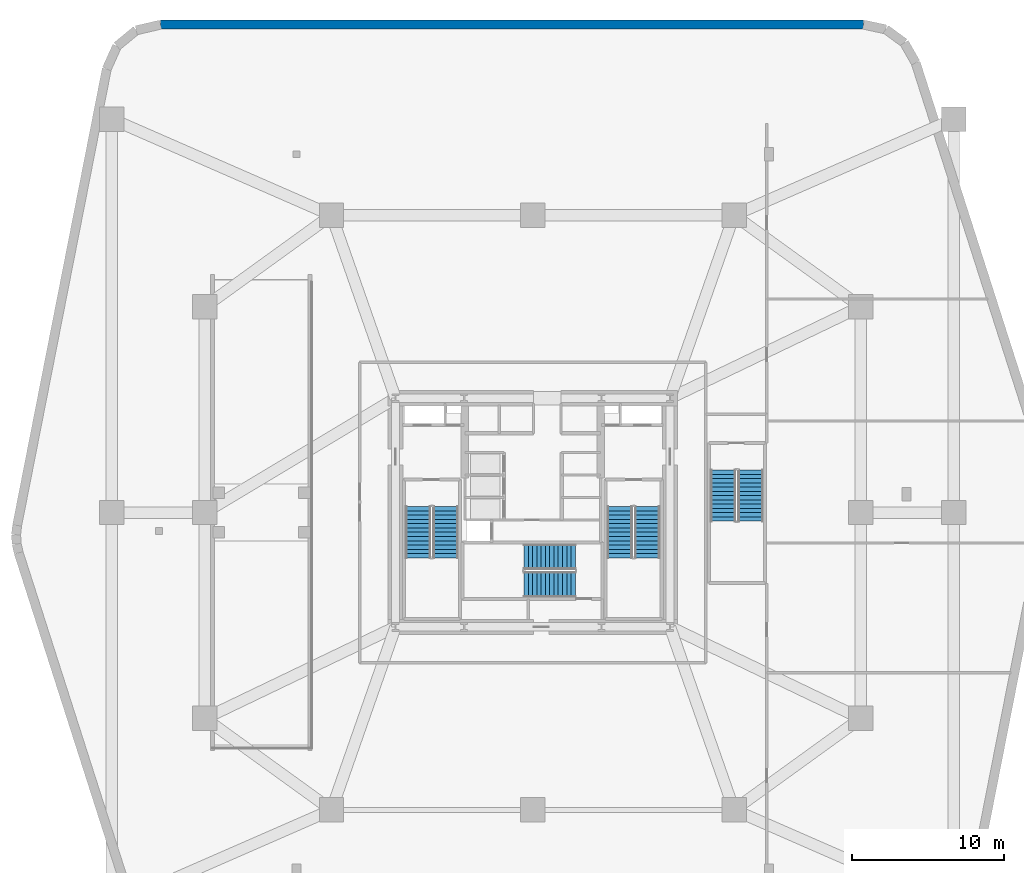
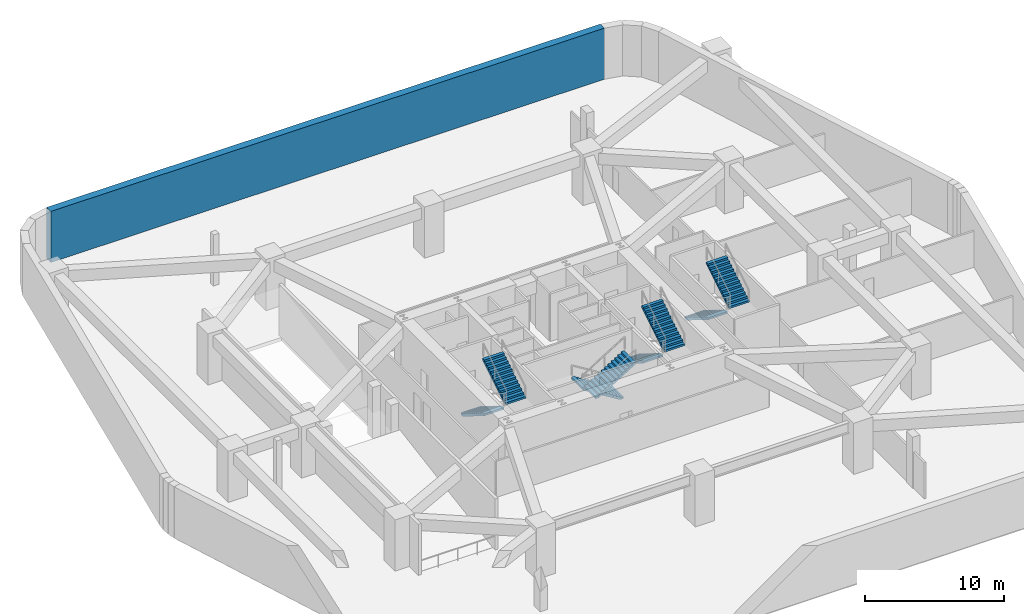
# One storey, part 6 of 9: 8 stair flights, 1 wall, 4 elements without a shape of their own.
"""IFC4 building model written with IfcOpenShell, lengths in metres."""

import ifcopenshell
import ifcopenshell.guid

model = None  # the IFC model being written
_history = None  # IfcOwnerHistory: only IFC2X3 demands one
_inside = {}  # id of a spatial element -> (the spatial element, [elements in it])
_under = {}  # id of a project, library or spatial element -> (it, [spatial elements below it])
_declared = {}  # id of a project -> (the project, [libraries it declares])
_typed = {}  # id of a type object -> (the type object, [elements of that type])
_made_of = {}  # id of a material, layer set ... -> (it, [elements and type objects made of it])


def new_model(schema):
    """Start an empty IFC model of exactly this schema.

    Asked for "IFC4X3", IfcOpenShell would pick the latest addendum, in which some entities
    have other attributes; the version numbers below select the first issue.
    IFC2X3 requires an IfcOwnerHistory on every rooted entity: one is made here for all.
    """
    global model, _history
    if schema == "IFC4X3":
        model = ifcopenshell.file(schema_version=(4, 3, 0, 0))
    else:
        model = ifcopenshell.file(schema=schema)
    _inside.clear()
    _under.clear()
    _declared.clear()
    _typed.clear()
    _made_of.clear()
    _history = None
    if model.schema == "IFC2X3":
        org = make("IfcOrganization", Name="unknown")
        user = make(
            "IfcPersonAndOrganization",
            ThePerson=make("IfcPerson", FamilyName="unknown"),
            TheOrganization=org,
        )
        app = make(
            "IfcApplication",
            ApplicationDeveloper=org,
            Version="unknown",
            ApplicationFullName="unknown",
            ApplicationIdentifier="unknown",
        )
        _history = make(
            "IfcOwnerHistory",
            OwningUser=user,
            OwningApplication=app,
            ChangeAction="ADDED",
            CreationDate=0,
        )
    return model


def make(cls, **values):
    """One entity of the class cls with the attributes given. An attribute that is None is left unset."""
    return model.create_entity(
        cls, **{name: value for name, value in values.items() if value is not None}
    )


def rooted(cls, **values):
    """An entity with a GlobalId (a new one), such as an element, a storey or a relation."""
    return make(cls, GlobalId=ifcopenshell.guid.new(), OwnerHistory=_history, **values)


def si_unit(unit_type, name, prefix=None):
    """IfcSIUnit, for example si_unit("LENGTHUNIT", "METRE", prefix="MILLI")."""
    return make("IfcSIUnit", UnitType=unit_type, Prefix=prefix, Name=name)


def assignment(units):
    """IfcUnitAssignment: the units of a project."""
    return None if units is None else make("IfcUnitAssignment", Units=units)


def point(xyz):
    """IfcCartesianPoint."""
    return None if xyz is None else make("IfcCartesianPoint", Coordinates=xyz)


def direction(xyz):
    """IfcDirection."""
    return None if xyz is None else make("IfcDirection", DirectionRatios=xyz)


def frame(location, z_axis=None, x_axis=None):
    """IfcAxis2Placement3D, a coordinate frame: its origin and axes. An axis left out is left unset."""
    return make(
        "IfcAxis2Placement3D",
        Location=point(location),
        Axis=direction(z_axis),
        RefDirection=direction(x_axis),
    )


def frame_2d(location, x_axis=None):
    """IfcAxis2Placement2D, a coordinate frame in the plane: its origin and x axis."""
    return make(
        "IfcAxis2Placement2D", Location=point(location), RefDirection=direction(x_axis)
    )


def origin():
    """The frame at (0, 0, 0) with its axes left unset."""
    return frame((0.0, 0.0, 0.0))


def place(relative_to, where):
    """IfcLocalPlacement: puts the frame where relative to a parent placement (None: the world)."""
    return make(
        "IfcLocalPlacement", PlacementRelTo=relative_to, RelativePlacement=where
    )


def context(
    kind, dimensions, precision=None, world=None, true_north=None, identifier=None
):
    """IfcGeometricRepresentationContext, for example the 3D "Model" context."""
    return make(
        "IfcGeometricRepresentationContext",
        ContextIdentifier=identifier,
        ContextType=kind,
        CoordinateSpaceDimension=dimensions,
        Precision=precision,
        WorldCoordinateSystem=world,
        TrueNorth=true_north,
    )


def subcontext(parent, identifier, kind, view, scale=None):
    """IfcGeometricRepresentationSubContext, for example "Body" below "Model"."""
    return make(
        "IfcGeometricRepresentationSubContext",
        ContextIdentifier=identifier,
        ContextType=kind,
        ParentContext=parent,
        TargetScale=scale,
        TargetView=view,
    )


def project(units=None, contexts=None):
    """IfcProject with its units and contexts."""
    return rooted(
        "IfcProject",
        Name="project",
        RepresentationContexts=contexts,
        UnitsInContext=assignment(units),
    )


def spatial(cls, under=None, at=None, **own):
    """A site, building, storey or space (cls), placed at a placement, below another one or the project."""
    s = rooted(cls, ObjectPlacement=at, **own)
    if under is not None:
        _under.setdefault(under.id(), (under, []))[1].append(s)
    return s


def polyline(points):
    """IfcPolyline through the points."""
    return make("IfcPolyline", Points=[point(p) for p in points])


def profile(cls, at=None, kind="AREA", **sizes):
    """A parametric profile (cls). Its sizes go by their IFC names, for example OverallWidth=200.0."""
    return make(cls, ProfileType=kind, Position=at, **sizes)


def rectangle(**sizes):
    """IfcRectangleProfileDef."""
    return profile("IfcRectangleProfileDef", **sizes)


def outline(outer, holes=None, kind="AREA"):
    """IfcArbitraryClosedProfileDef: a profile drawn as a closed curve; with holes, ...WithVoids."""
    if holes is None:
        return make("IfcArbitraryClosedProfileDef", ProfileType=kind, OuterCurve=outer)
    return make(
        "IfcArbitraryProfileDefWithVoids",
        ProfileType=kind,
        OuterCurve=outer,
        InnerCurves=holes,
    )


def extrude(swept, where, along, depth):
    """IfcExtrudedAreaSolid: the profile swept, set in the frame where, extruded along a direction by depth."""
    return make(
        "IfcExtrudedAreaSolid",
        SweptArea=swept,
        Position=where,
        ExtrudedDirection=direction(along),
        Depth=depth,
    )


def shape(context_of_items, identifier, shape_type, items):
    """IfcShapeRepresentation: the items that make up one representation, for example the "Body"."""
    return make(
        "IfcShapeRepresentation",
        ContextOfItems=context_of_items,
        RepresentationIdentifier=identifier,
        RepresentationType=shape_type,
        Items=items,
    )


def material(Name=None, Category=None):
    """IfcMaterial."""
    return make("IfcMaterial", Name=Name, Category=Category)


def layer(
    of_material, thickness, ventilated=None, Name=None, Category=None, Priority=None
):
    """IfcMaterialLayer: one layer of a wall or slab, of a material (None: an air gap)."""
    return make(
        "IfcMaterialLayer",
        Material=of_material,
        LayerThickness=thickness,
        IsVentilated=ventilated,
        Name=Name,
        Category=Category,
        Priority=Priority,
    )


def layer_set(layers, Name=None):
    """IfcMaterialLayerSet."""
    return make("IfcMaterialLayerSet", MaterialLayers=layers, LayerSetName=Name)


def made_of(thing, what):
    """Note that an element or type object is made of a material, layer set ...; save() writes the relation."""
    if what is not None:
        _made_of.setdefault(what.id(), (what, []))[1].append(thing)
    return thing


def type_object(cls, material=None, **own):
    """A type object (cls), such as IfcWallType, which elements share."""
    return made_of(rooted(cls, **own), material)


def element(
    cls,
    number,
    at=None,
    inside=None,
    cuts=None,
    type_object=None,
    material=None,
    context=None,
    identifier="Body",
    shape_type=None,
    held_by="IfcProductDefinitionShape",
    body=None,
    shapes=None,
    **own,
):
    """One element of the class cls, such as IfcWall. Its Tag is "e" and its number.

    at: its placement. inside: the storey or other place that contains it. cuts: it is an
    opening in that element (IfcRelVoidsElement). A single representation is given by context,
    identifier, shape_type and body (its items); several are given by shapes. held_by: the class
    of the entity that holds the representations. save() writes the other relations.
    """
    e = rooted(cls, Tag="e%d" % number, ObjectPlacement=at, **own)
    if body is not None:
        shapes = [shape(context, identifier, shape_type, body)]
    if shapes is not None:
        e.Representation = make(held_by, Representations=shapes)
    if inside is not None:
        _inside.setdefault(inside.id(), (inside, []))[1].append(e)
    if cuts is not None:
        rooted(
            "IfcRelVoidsElement", RelatingBuildingElement=cuts, RelatedOpeningElement=e
        )
    if type_object is not None:
        _typed.setdefault(type_object.id(), (type_object, []))[1].append(e)
    return made_of(e, material)


def aggregate(whole, parts):
    """IfcRelAggregates: a whole, such as a stair, and the parts it consists of."""
    return rooted("IfcRelAggregates", RelatingObject=whole, RelatedObjects=parts)


def save(model, path):
    """Write the relations noted so far, then the file.

    IfcRelAggregates (storeys below a building ...), IfcRelContainedInSpatialStructure (elements
    in a storey), IfcRelDefinesByType, IfcRelAssociatesMaterial and IfcRelDeclares: one each for
    every whole, place, type object, material and project.
    """
    for whole, parts in _under.values():
        aggregate(whole, parts)
    for where, things in _inside.values():
        rooted(
            "IfcRelContainedInSpatialStructure",
            RelatedElements=things,
            RelatingStructure=where,
        )
    for kind, things in _typed.values():
        rooted("IfcRelDefinesByType", RelatedObjects=things, RelatingType=kind)
    for what, things in _made_of.values():
        rooted("IfcRelAssociatesMaterial", RelatedObjects=things, RelatingMaterial=what)
    for by, libraries in _declared.values():
        rooted("IfcRelDeclares", RelatingContext=by, RelatedDefinitions=libraries)
    model.write(path)


model = new_model("IFC4")

# Units and contexts
model_context = context("Model", 3, precision=1e-05, world=origin(), true_north=direction((0.0, 1.0)))
body_context = subcontext(model_context, "Body", "Model", "MODEL_VIEW")
ifc_project = project(units=[si_unit("LENGTHUNIT", "METRE"), si_unit("AREAUNIT", "SQUARE_METRE"), si_unit("VOLUMEUNIT", "CUBIC_METRE"), si_unit("PLANEANGLEUNIT", "RADIAN"), si_unit("MASSUNIT", "GRAM", prefix="KILO")], contexts=[model_context])

# Site, building, storey
site_placement = place(None, origin())
site = spatial("IfcSite", under=ifc_project, at=site_placement, CompositionType="ELEMENT")
building_placement = place(site_placement, origin())
building = spatial("IfcBuilding", under=site, at=building_placement, Name="Kilnhurst Terrace Hotel", CompositionType="ELEMENT")
storey_placement = place(building_placement, frame((0.0, 0.0, -4.5)))
storey = spatial("IfcBuildingStorey", under=building, at=storey_placement, Name="B1", CompositionType="ELEMENT", Elevation=-4.5)

# Wall
ifc_material_1 = material(Name="Concrete C50/60", Category="concrete")
ifc_layer = layer(ifc_material_1, 0.60009765625, Name="Concrete C50/60")
ifc_layer_set = layer_set([ifc_layer], Name="Concrete C50/60")
wall_type = type_object("IfcWallType", Name="WL-RET-600", PredefinedType="SHEAR", material=ifc_layer_set)
wall_placement = place(storey_placement, frame((21.683349609375, 32.0, 0.0), z_axis=(0.0, 0.0, 1.0), x_axis=(-1.0, 0.0, 0.0)))
element("IfcWall", 1, at=wall_placement, inside=storey, type_object=wall_type, Name="B1 Perimeter Shear Retaining Wall 16", PredefinedType="SHEAR", context=body_context, shape_type="SweptSolid", body=[
    extrude(rectangle(XDim=46.091552734375, YDim=0.60009765625, at=frame_2d((23.0458984375, 0.0))), origin(), (0.0, 0.0, 1.0), 4.5),
])

# Stair, stair flights
stair_type_1 = type_object("IfcStairType", Name="STR-CORE-1660", PredefinedType="HALF_TURN_STAIR", material=ifc_material_1)
stair_1_placement = place(storey_placement, origin())
stair_1 = element("IfcStair", 2, at=stair_1_placement, inside=storey, type_object=stair_type_1, Name="B1 ST-1", PredefinedType="HALF_TURN_STAIR")
stair_flight_type = type_object("IfcStairFlightType", Name="FLT-RC-1660", PredefinedType="STRAIGHT", material=ifc_material_1)
stair_flight_1_placement = place(storey_placement, frame((-7.52001953125, 0.389892578125, 0.0), z_axis=(0.0, 0.0, 1.0), x_axis=(0.0, -1.0, 0.0)))
stair_flight_1 = element("IfcStairFlight", 3, at=stair_flight_1_placement, type_object=stair_flight_type, Name="ST-1 flight 1", NumberOfRisers=13, NumberOfTreads=12, PredefinedType="STRAIGHT", RiserHeight=0.173076923, TreadLength=0.28, context=body_context, shape_type="SweptSolid", body=[
    extrude(outline(polyline([(0.0, 0.0), (0.0, 0.173095703125), (0.280029296875, 0.173095703125), (0.280029296875, 0.34619140625), (0.56005859375, 0.34619140625), (0.56005859375, 0.519287109375), (0.840087890625, 0.519287109375), (0.840087890625, 0.6923828125), (1.1201171875, 0.6923828125), (1.1201171875, 0.865478515625), (1.39990234375, 0.865478515625), (1.39990234375, 1.03857421875), (1.679931640625, 1.03857421875), (1.679931640625, 1.21142578125), (1.9599609375, 1.21142578125), (1.9599609375, 1.384521484375), (2.239990234375, 1.384521484375), (2.239990234375, 1.5576171875), (2.52001953125, 1.5576171875), (2.52001953125, 1.730712890625), (2.800048828125, 1.730712890625), (2.800048828125, 1.90380859375), (3.080078125, 1.90380859375), (3.080078125, 2.076904296875), (3.360107421875, 2.076904296875), (3.360107421875, 2.25), (3.360107421875, 1.900634765625), (0.28515625, 0.0), (0.0, 0.0)])), frame((0.0, 0.830078125, 0.0), z_axis=(0.0, -1.0, 0.0), x_axis=(1.0, 0.0, 0.0)), (0.0, 0.0, 1.0), 1.659912109375),
])
stair_flight_2_placement = place(storey_placement, frame((-5.7099609375, -2.969970703125, 2.25), z_axis=(0.0, 0.0, 1.0), x_axis=(0.0, 1.0, 0.0)))
stair_flight_2 = element("IfcStairFlight", 4, at=stair_flight_2_placement, type_object=stair_flight_type, Name="ST-1 flight 2", NumberOfRisers=13, NumberOfTreads=12, PredefinedType="STRAIGHT", RiserHeight=0.173076923, TreadLength=0.28, context=body_context, shape_type="SweptSolid", body=[
    extrude(outline(polyline([(0.0, 0.0), (0.0, 0.173095703125), (0.280029296875, 0.173095703125), (0.280029296875, 0.34619140625), (0.56005859375, 0.34619140625), (0.56005859375, 0.519287109375), (0.840087890625, 0.519287109375), (0.840087890625, 0.6923828125), (1.1201171875, 0.6923828125), (1.1201171875, 0.865478515625), (1.39990234375, 0.865478515625), (1.39990234375, 1.03857421875), (1.679931640625, 1.03857421875), (1.679931640625, 1.21142578125), (1.9599609375, 1.21142578125), (1.9599609375, 1.384521484375), (2.239990234375, 1.384521484375), (2.239990234375, 1.5576171875), (2.52001953125, 1.5576171875), (2.52001953125, 1.730712890625), (2.800048828125, 1.730712890625), (2.800048828125, 1.90380859375), (3.080078125, 1.90380859375), (3.080078125, 2.076904296875), (3.360107421875, 2.076904296875), (3.360107421875, 2.25), (3.360107421875, 1.900634765625), (0.28515625, 0.0), (0.0, 0.0)])), frame((0.0, 0.830078125, 0.0), z_axis=(0.0, -1.0, 0.0), x_axis=(1.0, 0.0, 0.0)), (0.0, 0.0, 1.0), 1.659912109375),
])
aggregate(stair_1, [stair_flight_1, stair_flight_2])

stair_2_placement = place(storey_placement, origin())
stair_2 = element("IfcStair", 5, at=stair_2_placement, inside=storey, type_object=stair_type_1, Name="B1 ST-2", PredefinedType="HALF_TURN_STAIR")
stair_flight_3_placement = place(storey_placement, frame((5.7099609375, 0.389892578125, 0.0), z_axis=(0.0, 0.0, 1.0), x_axis=(0.0, -1.0, 0.0)))
stair_flight_3 = element("IfcStairFlight", 6, at=stair_flight_3_placement, type_object=stair_flight_type, Name="ST-2 flight 1", NumberOfRisers=13, NumberOfTreads=12, PredefinedType="STRAIGHT", RiserHeight=0.173076923, TreadLength=0.28, context=body_context, shape_type="SweptSolid", body=[
    extrude(outline(polyline([(0.0, 0.0), (0.0, 0.173095703125), (0.280029296875, 0.173095703125), (0.280029296875, 0.34619140625), (0.56005859375, 0.34619140625), (0.56005859375, 0.519287109375), (0.840087890625, 0.519287109375), (0.840087890625, 0.6923828125), (1.1201171875, 0.6923828125), (1.1201171875, 0.865478515625), (1.39990234375, 0.865478515625), (1.39990234375, 1.03857421875), (1.679931640625, 1.03857421875), (1.679931640625, 1.21142578125), (1.9599609375, 1.21142578125), (1.9599609375, 1.384521484375), (2.239990234375, 1.384521484375), (2.239990234375, 1.5576171875), (2.52001953125, 1.5576171875), (2.52001953125, 1.730712890625), (2.800048828125, 1.730712890625), (2.800048828125, 1.90380859375), (3.080078125, 1.90380859375), (3.080078125, 2.076904296875), (3.360107421875, 2.076904296875), (3.360107421875, 2.25), (3.360107421875, 1.900634765625), (0.28515625, 0.0), (0.0, 0.0)])), frame((0.0, 0.830078125, 0.0), z_axis=(0.0, -1.0, 0.0), x_axis=(1.0, 0.0, 0.0)), (0.0, 0.0, 1.0), 1.659912109375),
])
stair_flight_4_placement = place(storey_placement, frame((7.52001953125, -2.969970703125, 2.25), z_axis=(0.0, 0.0, 1.0), x_axis=(0.0, 1.0, 0.0)))
stair_flight_4 = element("IfcStairFlight", 7, at=stair_flight_4_placement, type_object=stair_flight_type, Name="ST-2 flight 2", NumberOfRisers=13, NumberOfTreads=12, PredefinedType="STRAIGHT", RiserHeight=0.173076923, TreadLength=0.28, context=body_context, shape_type="SweptSolid", body=[
    extrude(outline(polyline([(0.0, 0.0), (0.0, 0.173095703125), (0.280029296875, 0.173095703125), (0.280029296875, 0.34619140625), (0.56005859375, 0.34619140625), (0.56005859375, 0.519287109375), (0.840087890625, 0.519287109375), (0.840087890625, 0.6923828125), (1.1201171875, 0.6923828125), (1.1201171875, 0.865478515625), (1.39990234375, 0.865478515625), (1.39990234375, 1.03857421875), (1.679931640625, 1.03857421875), (1.679931640625, 1.21142578125), (1.9599609375, 1.21142578125), (1.9599609375, 1.384521484375), (2.239990234375, 1.384521484375), (2.239990234375, 1.5576171875), (2.52001953125, 1.5576171875), (2.52001953125, 1.730712890625), (2.800048828125, 1.730712890625), (2.800048828125, 1.90380859375), (3.080078125, 1.90380859375), (3.080078125, 2.076904296875), (3.360107421875, 2.076904296875), (3.360107421875, 2.25), (3.360107421875, 1.900634765625), (0.28515625, 0.0), (0.0, 0.0)])), frame((0.0, 0.830078125, 0.0), z_axis=(0.0, -1.0, 0.0), x_axis=(1.0, 0.0, 0.0)), (0.0, 0.0, 1.0), 1.659912109375),
])
aggregate(stair_2, [stair_flight_3, stair_flight_4])

stair_3_placement = place(storey_placement, origin())
stair_3 = element("IfcStair", 8, at=stair_3_placement, inside=storey, type_object=stair_type_1, Name="B1 ST-3", PredefinedType="HALF_TURN_STAIR")
stair_flight_5_placement = place(storey_placement, frame((2.7900390625, -2.909912109375, 0.0), z_axis=(0.0, 0.0, 1.0), x_axis=(-1.0, 0.0, 0.0)))
stair_flight_5 = element("IfcStairFlight", 9, at=stair_flight_5_placement, type_object=stair_flight_type, Name="ST-3 flight 1", NumberOfRisers=13, NumberOfTreads=12, PredefinedType="STRAIGHT", RiserHeight=0.173076923, TreadLength=0.28, context=body_context, shape_type="SweptSolid", body=[
    extrude(outline(polyline([(0.0, 0.0), (0.0, 0.173095703125), (0.280029296875, 0.173095703125), (0.280029296875, 0.34619140625), (0.56005859375, 0.34619140625), (0.56005859375, 0.519287109375), (0.840087890625, 0.519287109375), (0.840087890625, 0.6923828125), (1.1201171875, 0.6923828125), (1.1201171875, 0.865478515625), (1.39990234375, 0.865478515625), (1.39990234375, 1.03857421875), (1.679931640625, 1.03857421875), (1.679931640625, 1.21142578125), (1.9599609375, 1.21142578125), (1.9599609375, 1.384521484375), (2.239990234375, 1.384521484375), (2.239990234375, 1.5576171875), (2.52001953125, 1.5576171875), (2.52001953125, 1.730712890625), (2.800048828125, 1.730712890625), (2.800048828125, 1.90380859375), (3.080078125, 1.90380859375), (3.080078125, 2.076904296875), (3.360107421875, 2.076904296875), (3.360107421875, 2.25), (3.360107421875, 1.900634765625), (0.28515625, 0.0), (0.0, 0.0)])), frame((0.0, 0.830078125, 0.0), z_axis=(0.0, -1.0, 0.0), x_axis=(1.0, 0.0, 0.0)), (0.0, 0.0, 1.0), 1.659912109375),
])
stair_flight_6_placement = place(storey_placement, frame((-0.570068359375, -4.719970703125, 2.25), z_axis=(0.0, 0.0, 1.0), x_axis=(1.0, 0.0, 0.0)))
stair_flight_6 = element("IfcStairFlight", 10, at=stair_flight_6_placement, type_object=stair_flight_type, Name="ST-3 flight 2", NumberOfRisers=13, NumberOfTreads=12, PredefinedType="STRAIGHT", RiserHeight=0.173076923, TreadLength=0.28, context=body_context, shape_type="SweptSolid", body=[
    extrude(outline(polyline([(0.0, 0.0), (0.0, 0.173095703125), (0.280029296875, 0.173095703125), (0.280029296875, 0.34619140625), (0.56005859375, 0.34619140625), (0.56005859375, 0.519287109375), (0.840087890625, 0.519287109375), (0.840087890625, 0.6923828125), (1.1201171875, 0.6923828125), (1.1201171875, 0.865478515625), (1.39990234375, 0.865478515625), (1.39990234375, 1.03857421875), (1.679931640625, 1.03857421875), (1.679931640625, 1.21142578125), (1.9599609375, 1.21142578125), (1.9599609375, 1.384521484375), (2.239990234375, 1.384521484375), (2.239990234375, 1.5576171875), (2.52001953125, 1.5576171875), (2.52001953125, 1.730712890625), (2.800048828125, 1.730712890625), (2.800048828125, 1.90380859375), (3.080078125, 1.90380859375), (3.080078125, 2.076904296875), (3.360107421875, 2.076904296875), (3.360107421875, 2.25), (3.360107421875, 1.900634765625), (0.28515625, 0.0), (0.0, 0.0)])), frame((0.0, 0.830078125, 0.0), z_axis=(0.0, -1.0, 0.0), x_axis=(1.0, 0.0, 0.0)), (0.0, 0.0, 1.0), 1.659912109375),
])
aggregate(stair_3, [stair_flight_5, stair_flight_6])

ifc_material_2 = material(Name="Concrete C40/50", Category="concrete")
stair_type_2 = type_object("IfcStairType", Name="STR-POD-1660", PredefinedType="HALF_TURN_STAIR", material=ifc_material_2)
stair_4_placement = place(storey_placement, origin())
stair_4 = element("IfcStair", 11, at=stair_4_placement, inside=storey, type_object=stair_type_2, Name="B1 ST-4", PredefinedType="HALF_TURN_STAIR")
stair_flight_7_placement = place(storey_placement, frame((12.47998046875, 2.7900390625, 0.0), z_axis=(0.0, 0.0, 1.0), x_axis=(0.0, -1.0, 0.0)))
stair_flight_7 = element("IfcStairFlight", 12, at=stair_flight_7_placement, type_object=stair_flight_type, Name="ST-4 flight 1", NumberOfRisers=13, NumberOfTreads=12, PredefinedType="STRAIGHT", RiserHeight=0.173076923, TreadLength=0.28, context=body_context, shape_type="SweptSolid", body=[
    extrude(outline(polyline([(0.0, 0.0), (0.0, 0.173095703125), (0.280029296875, 0.173095703125), (0.280029296875, 0.34619140625), (0.56005859375, 0.34619140625), (0.56005859375, 0.519287109375), (0.840087890625, 0.519287109375), (0.840087890625, 0.6923828125), (1.1201171875, 0.6923828125), (1.1201171875, 0.865478515625), (1.39990234375, 0.865478515625), (1.39990234375, 1.03857421875), (1.679931640625, 1.03857421875), (1.679931640625, 1.21142578125), (1.9599609375, 1.21142578125), (1.9599609375, 1.384521484375), (2.239990234375, 1.384521484375), (2.239990234375, 1.5576171875), (2.52001953125, 1.5576171875), (2.52001953125, 1.730712890625), (2.800048828125, 1.730712890625), (2.800048828125, 1.90380859375), (3.080078125, 1.90380859375), (3.080078125, 2.076904296875), (3.360107421875, 2.076904296875), (3.360107421875, 2.25), (3.360107421875, 1.900634765625), (0.28515625, 0.0), (0.0, 0.0)])), frame((0.0, 0.830078125, 0.0), z_axis=(0.0, -1.0, 0.0), x_axis=(1.0, 0.0, 0.0)), (0.0, 0.0, 1.0), 1.659912109375),
])
stair_flight_8_placement = place(storey_placement, frame((14.2900390625, -0.570068359375, 2.25), z_axis=(0.0, 0.0, 1.0), x_axis=(0.0, 1.0, 0.0)))
stair_flight_8 = element("IfcStairFlight", 13, at=stair_flight_8_placement, type_object=stair_flight_type, Name="ST-4 flight 2", NumberOfRisers=13, NumberOfTreads=12, PredefinedType="STRAIGHT", RiserHeight=0.173076923, TreadLength=0.28, context=body_context, shape_type="SweptSolid", body=[
    extrude(outline(polyline([(0.0, 0.0), (0.0, 0.173095703125), (0.280029296875, 0.173095703125), (0.280029296875, 0.34619140625), (0.56005859375, 0.34619140625), (0.56005859375, 0.519287109375), (0.840087890625, 0.519287109375), (0.840087890625, 0.6923828125), (1.1201171875, 0.6923828125), (1.1201171875, 0.865478515625), (1.39990234375, 0.865478515625), (1.39990234375, 1.03857421875), (1.679931640625, 1.03857421875), (1.679931640625, 1.21142578125), (1.9599609375, 1.21142578125), (1.9599609375, 1.384521484375), (2.239990234375, 1.384521484375), (2.239990234375, 1.5576171875), (2.52001953125, 1.5576171875), (2.52001953125, 1.730712890625), (2.800048828125, 1.730712890625), (2.800048828125, 1.90380859375), (3.080078125, 1.90380859375), (3.080078125, 2.076904296875), (3.360107421875, 2.076904296875), (3.360107421875, 2.25), (3.360107421875, 1.900634765625), (0.28515625, 0.0), (0.0, 0.0)])), frame((0.0, 0.830078125, 0.0), z_axis=(0.0, -1.0, 0.0), x_axis=(1.0, 0.0, 0.0)), (0.0, 0.0, 1.0), 1.659912109375),
])
aggregate(stair_4, [stair_flight_7, stair_flight_8])

save(model, "model.ifc")
